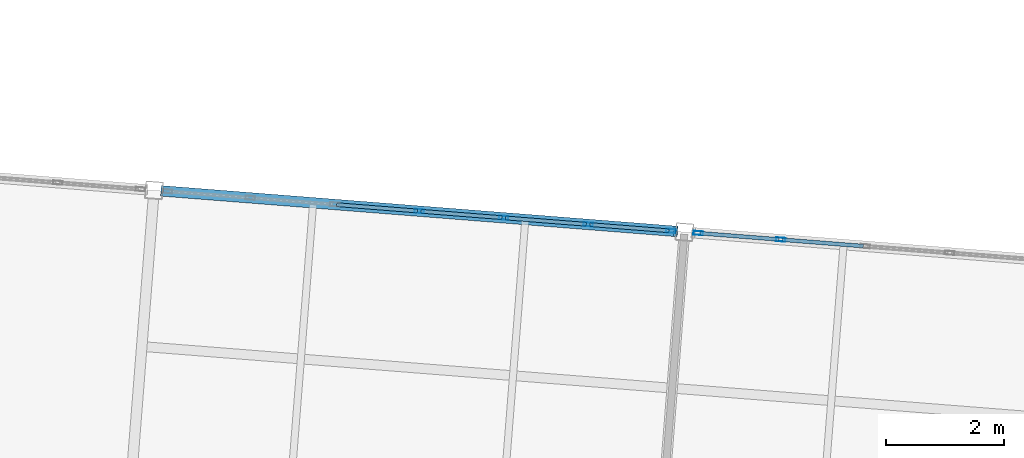
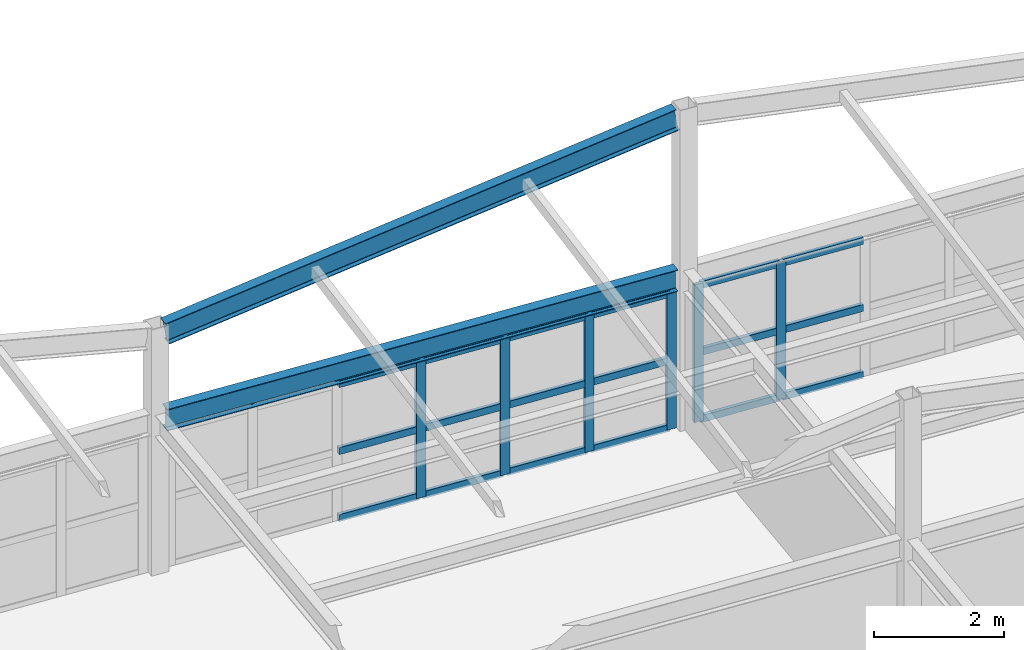
# One storey, part 50 of 127: 24 members, 2 beams, 2 elements without a shape of their own.
"""IFC4 building model written with IfcOpenShell, lengths in metres."""

import ifcopenshell
import ifcopenshell.guid

model = None  # the IFC model being written
_history = None  # IfcOwnerHistory: only IFC2X3 demands one
_inside = {}  # id of a spatial element -> (the spatial element, [elements in it])
_under = {}  # id of a project, library or spatial element -> (it, [spatial elements below it])
_declared = {}  # id of a project -> (the project, [libraries it declares])
_typed = {}  # id of a type object -> (the type object, [elements of that type])
_made_of = {}  # id of a material, layer set ... -> (it, [elements and type objects made of it])


def new_model(schema):
    """Start an empty IFC model of exactly this schema.

    Asked for "IFC4X3", IfcOpenShell would pick the latest addendum, in which some entities
    have other attributes; the version numbers below select the first issue.
    IFC2X3 requires an IfcOwnerHistory on every rooted entity: one is made here for all.
    """
    global model, _history
    if schema == "IFC4X3":
        model = ifcopenshell.file(schema_version=(4, 3, 0, 0))
    else:
        model = ifcopenshell.file(schema=schema)
    _inside.clear()
    _under.clear()
    _declared.clear()
    _typed.clear()
    _made_of.clear()
    _history = None
    if model.schema == "IFC2X3":
        org = make("IfcOrganization", Name="unknown")
        user = make(
            "IfcPersonAndOrganization",
            ThePerson=make("IfcPerson", FamilyName="unknown"),
            TheOrganization=org,
        )
        app = make(
            "IfcApplication",
            ApplicationDeveloper=org,
            Version="unknown",
            ApplicationFullName="unknown",
            ApplicationIdentifier="unknown",
        )
        _history = make(
            "IfcOwnerHistory",
            OwningUser=user,
            OwningApplication=app,
            ChangeAction="ADDED",
            CreationDate=0,
        )
    return model


def make(cls, **values):
    """One entity of the class cls with the attributes given. An attribute that is None is left unset."""
    return model.create_entity(
        cls, **{name: value for name, value in values.items() if value is not None}
    )


def rooted(cls, **values):
    """An entity with a GlobalId (a new one), such as an element, a storey or a relation."""
    return make(cls, GlobalId=ifcopenshell.guid.new(), OwnerHistory=_history, **values)


def si_unit(unit_type, name, prefix=None):
    """IfcSIUnit, for example si_unit("LENGTHUNIT", "METRE", prefix="MILLI")."""
    return make("IfcSIUnit", UnitType=unit_type, Prefix=prefix, Name=name)


def assignment(units):
    """IfcUnitAssignment: the units of a project."""
    return None if units is None else make("IfcUnitAssignment", Units=units)


def point(xyz):
    """IfcCartesianPoint."""
    return None if xyz is None else make("IfcCartesianPoint", Coordinates=xyz)


def direction(xyz):
    """IfcDirection."""
    return None if xyz is None else make("IfcDirection", DirectionRatios=xyz)


def frame(location, z_axis=None, x_axis=None):
    """IfcAxis2Placement3D, a coordinate frame: its origin and axes. An axis left out is left unset."""
    return make(
        "IfcAxis2Placement3D",
        Location=point(location),
        Axis=direction(z_axis),
        RefDirection=direction(x_axis),
    )


def frame_2d(location, x_axis=None):
    """IfcAxis2Placement2D, a coordinate frame in the plane: its origin and x axis."""
    return make(
        "IfcAxis2Placement2D", Location=point(location), RefDirection=direction(x_axis)
    )


def origin():
    """The frame at (0, 0, 0) with its axes left unset."""
    return frame((0.0, 0.0, 0.0))


def origin_2d():
    """The frame at (0, 0) in the plane with its x axis left unset."""
    return frame_2d((0.0, 0.0))


def place(relative_to, where):
    """IfcLocalPlacement: puts the frame where relative to a parent placement (None: the world)."""
    return make(
        "IfcLocalPlacement", PlacementRelTo=relative_to, RelativePlacement=where
    )


def context(
    kind, dimensions, precision=None, world=None, true_north=None, identifier=None
):
    """IfcGeometricRepresentationContext, for example the 3D "Model" context."""
    return make(
        "IfcGeometricRepresentationContext",
        ContextIdentifier=identifier,
        ContextType=kind,
        CoordinateSpaceDimension=dimensions,
        Precision=precision,
        WorldCoordinateSystem=world,
        TrueNorth=true_north,
    )


def subcontext(parent, identifier, kind, view, scale=None):
    """IfcGeometricRepresentationSubContext, for example "Body" below "Model"."""
    return make(
        "IfcGeometricRepresentationSubContext",
        ContextIdentifier=identifier,
        ContextType=kind,
        ParentContext=parent,
        TargetScale=scale,
        TargetView=view,
    )


def project(units=None, contexts=None):
    """IfcProject with its units and contexts."""
    return rooted(
        "IfcProject",
        Name="project",
        RepresentationContexts=contexts,
        UnitsInContext=assignment(units),
    )


def spatial(cls, under=None, at=None, **own):
    """A site, building, storey or space (cls), placed at a placement, below another one or the project."""
    s = rooted(cls, ObjectPlacement=at, **own)
    if under is not None:
        _under.setdefault(under.id(), (under, []))[1].append(s)
    return s


def profile(cls, at=None, kind="AREA", **sizes):
    """A parametric profile (cls). Its sizes go by their IFC names, for example OverallWidth=200.0."""
    return make(cls, ProfileType=kind, Position=at, **sizes)


def hollow_rectangle(**sizes):
    """IfcRectangleHollowProfileDef."""
    return profile("IfcRectangleHollowProfileDef", **sizes)


def i_section(**sizes):
    """IfcIShapeProfileDef."""
    return profile("IfcIShapeProfileDef", **sizes)


def extrude(swept, where, along, depth):
    """IfcExtrudedAreaSolid: the profile swept, set in the frame where, extruded along a direction by depth."""
    return make(
        "IfcExtrudedAreaSolid",
        SweptArea=swept,
        Position=where,
        ExtrudedDirection=direction(along),
        Depth=depth,
    )


def shape(context_of_items, identifier, shape_type, items):
    """IfcShapeRepresentation: the items that make up one representation, for example the "Body"."""
    return make(
        "IfcShapeRepresentation",
        ContextOfItems=context_of_items,
        RepresentationIdentifier=identifier,
        RepresentationType=shape_type,
        Items=items,
    )


def material(Name=None, Category=None):
    """IfcMaterial."""
    return make("IfcMaterial", Name=Name, Category=Category)


def material_profile(
    of_material, cross_section, Name=None, Category=None, Priority=None
):
    """IfcMaterialProfile: a cross section and its material."""
    return make(
        "IfcMaterialProfile",
        Name=Name,
        Material=of_material,
        Profile=cross_section,
        Priority=Priority,
        Category=Category,
    )


def profile_set(profiles, Name=None, composite=None):
    """IfcMaterialProfileSet."""
    return make(
        "IfcMaterialProfileSet",
        Name=Name,
        MaterialProfiles=profiles,
        CompositeProfile=composite,
    )


def made_of(thing, what):
    """Note that an element or type object is made of a material, layer set ...; save() writes the relation."""
    if what is not None:
        _made_of.setdefault(what.id(), (what, []))[1].append(thing)
    return thing


def type_object(cls, material=None, **own):
    """A type object (cls), such as IfcWallType, which elements share."""
    return made_of(rooted(cls, **own), material)


def element(
    cls,
    number,
    at=None,
    inside=None,
    cuts=None,
    type_object=None,
    material=None,
    context=None,
    identifier="Body",
    shape_type=None,
    held_by="IfcProductDefinitionShape",
    body=None,
    shapes=None,
    **own,
):
    """One element of the class cls, such as IfcWall. Its Tag is "e" and its number.

    at: its placement. inside: the storey or other place that contains it. cuts: it is an
    opening in that element (IfcRelVoidsElement). A single representation is given by context,
    identifier, shape_type and body (its items); several are given by shapes. held_by: the class
    of the entity that holds the representations. save() writes the other relations.
    """
    e = rooted(cls, Tag="e%d" % number, ObjectPlacement=at, **own)
    if body is not None:
        shapes = [shape(context, identifier, shape_type, body)]
    if shapes is not None:
        e.Representation = make(held_by, Representations=shapes)
    if inside is not None:
        _inside.setdefault(inside.id(), (inside, []))[1].append(e)
    if cuts is not None:
        rooted(
            "IfcRelVoidsElement", RelatingBuildingElement=cuts, RelatedOpeningElement=e
        )
    if type_object is not None:
        _typed.setdefault(type_object.id(), (type_object, []))[1].append(e)
    return made_of(e, material)


def aggregate(whole, parts):
    """IfcRelAggregates: a whole, such as a stair, and the parts it consists of."""
    return rooted("IfcRelAggregates", RelatingObject=whole, RelatedObjects=parts)


def save(model, path):
    """Write the relations noted so far, then the file.

    IfcRelAggregates (storeys below a building ...), IfcRelContainedInSpatialStructure (elements
    in a storey), IfcRelDefinesByType, IfcRelAssociatesMaterial and IfcRelDeclares: one each for
    every whole, place, type object, material and project.
    """
    for whole, parts in _under.values():
        aggregate(whole, parts)
    for where, things in _inside.values():
        rooted(
            "IfcRelContainedInSpatialStructure",
            RelatedElements=things,
            RelatingStructure=where,
        )
    for kind, things in _typed.values():
        rooted("IfcRelDefinesByType", RelatedObjects=things, RelatingType=kind)
    for what, things in _made_of.values():
        rooted("IfcRelAssociatesMaterial", RelatedObjects=things, RelatingMaterial=what)
    for by, libraries in _declared.values():
        rooted("IfcRelDeclares", RelatingContext=by, RelatedDefinitions=libraries)
    model.write(path)


model = new_model("IFC4")

# Units and contexts
model_context = context("Model", 3, precision=1e-05, world=origin(), true_north=direction((0.0, 1.0)))
body_context = subcontext(model_context, "Body", "Model", "MODEL_VIEW")
ifc_project = project(units=[si_unit("LENGTHUNIT", "METRE"), si_unit("AREAUNIT", "SQUARE_METRE"), si_unit("VOLUMEUNIT", "CUBIC_METRE"), si_unit("PLANEANGLEUNIT", "RADIAN"), si_unit("MASSUNIT", "GRAM", prefix="KILO")], contexts=[model_context])

# Site, building, storey
site_placement = place(None, origin())
site = spatial("IfcSite", under=ifc_project, at=site_placement, CompositionType="ELEMENT")
building_placement = place(site_placement, origin())
building = spatial("IfcBuilding", under=site, at=building_placement, Name="Kestramere Prow Commons", CompositionType="ELEMENT")
storey_placement = place(building_placement, frame((0.0, 0.0, 8.39990234375)))
storey = spatial("IfcBuildingStorey", under=building, at=storey_placement, Name="L02", CompositionType="ELEMENT", Elevation=8.39990234375)

# Beams
ifc_material_1 = material(Name="Steel S355JR", Category="steel")
ifc_material_profile_1 = material_profile(ifc_material_1, i_section(OverallWidth=0.177978515625, OverallDepth=0.406494140625, WebThickness=0.0078125, FlangeThickness=0.0126953125, FilletRadius=0.01025390625, at=origin_2d()), Name="UB 406x178x60")
ifc_profile_set_1 = profile_set([ifc_material_profile_1], Name="Steel S355JR")
beam_type = type_object("IfcBeamType", Name="BM-NR-01 UB 406x178x60 (EX)", PredefinedType="BEAM", material=ifc_profile_set_1)
beam_1_placement = place(storey_placement, frame((79.604736328125, 108.7080078125, 2.796875), z_axis=(0.996919433544, -0.078432410537, 0.0), x_axis=(0.078432410537, 0.996919433544, 0.0)))
element("IfcBeam", 1, at=beam_1_placement, inside=storey, type_object=beam_type, Name="Nursery L02 Beam U 4-2", PredefinedType="BEAM", context=body_context, shape_type="SweptSolid", body=[
    extrude(i_section(OverallWidth=0.177978515625, OverallDepth=0.406494140625, WebThickness=0.0078125, FlangeThickness=0.0126953125, FilletRadius=0.01025390625, at=origin_2d()), origin(), (0.0, 0.0, 1.0), 8.7001953125),
])
beam_2_placement = place(storey_placement, frame((79.604736328125, 108.7080078125, 4.4169921875), z_axis=(0.984259300341, -0.077436377426, 0.158862321346), x_axis=(0.078432410537, 0.996919433544, 0.0)))
element("IfcBeam", 2, at=beam_2_placement, inside=storey, type_object=beam_type, Name="Nursery Butterfly Rafter 4-2", PredefinedType="BEAM", context=body_context, shape_type="SweptSolid", body=[
    extrude(i_section(OverallWidth=0.177978515625, OverallDepth=0.406494140625, WebThickness=0.0078125, FlangeThickness=0.0126953125, FilletRadius=0.01025390625, at=origin_2d()), origin(), (0.0, 0.0, 1.0), 8.81201171875),
])

# Curtain wall, members
ifc_material_2 = material(Name="Anodised Aluminium and Low-E Glass", Category="aluminium")
curtain_wall_type = type_object("IfcCurtainWallType", Name="CW-17 Glazed Curtain Wall 8600x2580", PredefinedType="USERDEFINED", material=ifc_material_2)
curtain_wall_1_placement = place(storey_placement, origin())
curtain_wall_1 = element("IfcCurtainWall", 3, at=curtain_wall_1_placement, inside=storey, type_object=curtain_wall_type, Name="Nursery L02 North Garden Glazing 2", ObjectType="GLAZED CURTAIN WALL", PredefinedType="USERDEFINED")
ifc_material_3 = material(Name="Anodised Aluminium 6063-T6", Category="aluminium")
ifc_material_profile_2 = material_profile(ifc_material_3, hollow_rectangle(XDim=0.06494140625, YDim=0.159912109375, WallThickness=0.00390625, at=origin_2d()), Name="ALU-MUL 65x160")
ifc_profile_set_2 = profile_set([ifc_material_profile_2], Name="Anodised Aluminium 6063-T6")
member_type_1 = type_object("IfcMemberType", Name="CW-MUL-65x160", PredefinedType="MULLION", material=ifc_profile_set_2)
member_1_placement = place(storey_placement, frame((83.94140625, 108.36669921875, 0.0), z_axis=(0.0, 0.0, 1.0), x_axis=(0.078459070568, 0.996917335713, 0.0)))
member_1 = element("IfcMember", 4, at=member_1_placement, type_object=member_type_1, Name="CW-17 mullion 4", PredefinedType="MULLION", context=body_context, shape_type="SweptSolid", body=[
    extrude(hollow_rectangle(XDim=0.06494140625, YDim=0.159912109375, WallThickness=0.00390625, at=origin_2d()), origin(), (0.0, 0.0, 1.0), 2.580078125),
])
member_2_placement = place(storey_placement, frame((85.370361328125, 108.25439453125, 0.0), z_axis=(0.0, 0.0, 1.0), x_axis=(0.078459070568, 0.996917335713, 0.0)))
member_2 = element("IfcMember", 5, at=member_2_placement, type_object=member_type_1, Name="CW-17 mullion 5", PredefinedType="MULLION", context=body_context, shape_type="SweptSolid", body=[
    extrude(hollow_rectangle(XDim=0.06494140625, YDim=0.159912109375, WallThickness=0.00390625, at=origin_2d()), origin(), (0.0, 0.0, 1.0), 2.580078125),
])
member_3_placement = place(storey_placement, frame((86.79931640625, 108.141845703125, 0.0), z_axis=(0.0, 0.0, 1.0), x_axis=(0.078459070568, 0.996917335713, 0.0)))
member_3 = element("IfcMember", 6, at=member_3_placement, type_object=member_type_1, Name="CW-17 mullion 6", PredefinedType="MULLION", context=body_context, shape_type="SweptSolid", body=[
    extrude(hollow_rectangle(XDim=0.06494140625, YDim=0.159912109375, WallThickness=0.00390625, at=origin_2d()), origin(), (0.0, 0.0, 1.0), 2.580078125),
])
member_4_placement = place(storey_placement, frame((88.19580078125, 108.031982421875, 0.0), z_axis=(0.0, 0.0, 1.0), x_axis=(0.078459070568, 0.996917335713, 0.0)))
member_4 = element("IfcMember", 7, at=member_4_placement, type_object=member_type_1, Name="CW-17 mullion 7", PredefinedType="MULLION", context=body_context, shape_type="SweptSolid", body=[
    extrude(hollow_rectangle(XDim=0.06494140625, YDim=0.159912109375, WallThickness=0.00390625, at=origin_2d()), origin(), (0.0, 0.0, 1.0), 2.580078125),
])

curtain_wall_2_placement = place(storey_placement, origin())
curtain_wall_2 = element("IfcCurtainWall", 8, at=curtain_wall_2_placement, inside=storey, type_object=curtain_wall_type, Name="Nursery L02 North Garden Glazing 3", ObjectType="GLAZED CURTAIN WALL", PredefinedType="USERDEFINED")
member_5_placement = place(storey_placement, frame((88.659423828125, 107.99560546875, 0.0), z_axis=(0.0, 0.0, 1.0), x_axis=(0.078459070568, 0.996917335713, 0.0)))
member_5 = element("IfcMember", 9, at=member_5_placement, type_object=member_type_1, Name="CW-17 mullion 1", PredefinedType="MULLION", context=body_context, shape_type="SweptSolid", body=[
    extrude(hollow_rectangle(XDim=0.06494140625, YDim=0.159912109375, WallThickness=0.00390625, at=origin_2d()), origin(), (0.0, 0.0, 1.0), 2.580078125),
])
member_6_placement = place(storey_placement, frame((90.055908203125, 107.885498046875, 0.0), z_axis=(0.0, 0.0, 1.0), x_axis=(0.078459070568, 0.996917335713, 0.0)))
member_6 = element("IfcMember", 10, at=member_6_placement, type_object=member_type_1, Name="CW-17 mullion 2", PredefinedType="MULLION", context=body_context, shape_type="SweptSolid", body=[
    extrude(hollow_rectangle(XDim=0.06494140625, YDim=0.159912109375, WallThickness=0.00390625, at=origin_2d()), origin(), (0.0, 0.0, 1.0), 2.580078125),
])

# Member
ifc_material_profile_3 = material_profile(ifc_material_3, hollow_rectangle(XDim=0.06494140625, YDim=0.1298828125, WallThickness=0.00390625, at=origin_2d()), Name="ALU-TRN 65x130")
ifc_profile_set_3 = profile_set([ifc_material_profile_3], Name="Anodised Aluminium 6063-T6")
member_type_2 = type_object("IfcMemberType", Name="CW-TRN-65x130", PredefinedType="USERDEFINED", material=ifc_profile_set_3)
member_7_placement = place(storey_placement, frame((82.544921875, 108.476806640625, 0.03271484375), z_axis=(0.996913235205, -0.07851115509, 0.0), x_axis=(0.07851115509, 0.996913235205, 0.0)))
member_7 = element("IfcMember", 11, at=member_7_placement, type_object=member_type_2, Name="CW-17 transom 3.1", ObjectType="TRANSOM", PredefinedType="USERDEFINED", context=body_context, shape_type="SweptSolid", body=[
    extrude(hollow_rectangle(XDim=0.06494140625, YDim=0.1298828125, WallThickness=0.00390625, at=origin_2d()), origin(), (0.0, 0.0, 1.0), 1.3681640625),
])

member_8_placement = place(storey_placement, frame((82.544921875, 108.476806640625, 1.2900390625), z_axis=(0.996913235205, -0.07851115509, 0.0), x_axis=(0.07851115509, 0.996913235205, 0.0)))
member_8 = element("IfcMember", 12, at=member_8_placement, type_object=member_type_2, Name="CW-17 transom 3.2", ObjectType="TRANSOM", PredefinedType="USERDEFINED", context=body_context, shape_type="SweptSolid", body=[
    extrude(hollow_rectangle(XDim=0.06494140625, YDim=0.1298828125, WallThickness=0.00390625, at=origin_2d()), origin(), (0.0, 0.0, 1.0), 1.3681640625),
])

member_9_placement = place(storey_placement, frame((82.544921875, 108.476806640625, 2.547607421875), z_axis=(0.996913235205, -0.07851115509, 0.0), x_axis=(0.07851115509, 0.996913235205, 0.0)))
member_9 = element("IfcMember", 13, at=member_9_placement, type_object=member_type_2, Name="CW-17 transom 3.3", ObjectType="TRANSOM", PredefinedType="USERDEFINED", context=body_context, shape_type="SweptSolid", body=[
    extrude(hollow_rectangle(XDim=0.06494140625, YDim=0.1298828125, WallThickness=0.00390625, at=origin_2d()), origin(), (0.0, 0.0, 1.0), 1.3681640625),
])

member_10_placement = place(storey_placement, frame((83.973876953125, 108.3642578125, 0.03271484375), z_axis=(0.996913235205, -0.07851115509, 0.0), x_axis=(0.07851115509, 0.996913235205, 0.0)))
member_10 = element("IfcMember", 14, at=member_10_placement, type_object=member_type_2, Name="CW-17 transom 4.1", ObjectType="TRANSOM", PredefinedType="USERDEFINED", context=body_context, shape_type="SweptSolid", body=[
    extrude(hollow_rectangle(XDim=0.06494140625, YDim=0.1298828125, WallThickness=0.00390625, at=origin_2d()), origin(), (0.0, 0.0, 1.0), 1.3681640625),
])

member_11_placement = place(storey_placement, frame((83.973876953125, 108.3642578125, 1.2900390625), z_axis=(0.996913235205, -0.07851115509, 0.0), x_axis=(0.07851115509, 0.996913235205, 0.0)))
member_11 = element("IfcMember", 15, at=member_11_placement, type_object=member_type_2, Name="CW-17 transom 4.2", ObjectType="TRANSOM", PredefinedType="USERDEFINED", context=body_context, shape_type="SweptSolid", body=[
    extrude(hollow_rectangle(XDim=0.06494140625, YDim=0.1298828125, WallThickness=0.00390625, at=origin_2d()), origin(), (0.0, 0.0, 1.0), 1.3681640625),
])

member_12_placement = place(storey_placement, frame((83.973876953125, 108.3642578125, 2.547607421875), z_axis=(0.996913235205, -0.07851115509, 0.0), x_axis=(0.07851115509, 0.996913235205, 0.0)))
member_12 = element("IfcMember", 16, at=member_12_placement, type_object=member_type_2, Name="CW-17 transom 4.3", ObjectType="TRANSOM", PredefinedType="USERDEFINED", context=body_context, shape_type="SweptSolid", body=[
    extrude(hollow_rectangle(XDim=0.06494140625, YDim=0.1298828125, WallThickness=0.00390625, at=origin_2d()), origin(), (0.0, 0.0, 1.0), 1.3681640625),
])

member_13_placement = place(storey_placement, frame((85.40283203125, 108.251708984375, 0.03271484375), z_axis=(0.996927185479, -0.078333816793, 0.0), x_axis=(0.078333816793, 0.996927185479, 0.0)))
member_13 = element("IfcMember", 17, at=member_13_placement, type_object=member_type_2, Name="CW-17 transom 5.1", ObjectType="TRANSOM", PredefinedType="USERDEFINED", context=body_context, shape_type="SweptSolid", body=[
    extrude(hollow_rectangle(XDim=0.06494140625, YDim=0.1298828125, WallThickness=0.00390625, at=origin_2d()), origin(), (0.0, 0.0, 1.0), 1.3681640625),
])

member_14_placement = place(storey_placement, frame((85.40283203125, 108.251708984375, 1.2900390625), z_axis=(0.996927185479, -0.078333816793, 0.0), x_axis=(0.078333816793, 0.996927185479, 0.0)))
member_14 = element("IfcMember", 18, at=member_14_placement, type_object=member_type_2, Name="CW-17 transom 5.2", ObjectType="TRANSOM", PredefinedType="USERDEFINED", context=body_context, shape_type="SweptSolid", body=[
    extrude(hollow_rectangle(XDim=0.06494140625, YDim=0.1298828125, WallThickness=0.00390625, at=origin_2d()), origin(), (0.0, 0.0, 1.0), 1.3681640625),
])

member_15_placement = place(storey_placement, frame((85.40283203125, 108.251708984375, 2.547607421875), z_axis=(0.996927185479, -0.078333816793, 0.0), x_axis=(0.078333816793, 0.996927185479, 0.0)))
member_15 = element("IfcMember", 19, at=member_15_placement, type_object=member_type_2, Name="CW-17 transom 5.3", ObjectType="TRANSOM", PredefinedType="USERDEFINED", context=body_context, shape_type="SweptSolid", body=[
    extrude(hollow_rectangle(XDim=0.06494140625, YDim=0.1298828125, WallThickness=0.00390625, at=origin_2d()), origin(), (0.0, 0.0, 1.0), 1.3681640625),
])

member_16_placement = place(storey_placement, frame((86.83154296875, 108.139404296875, 0.03271484375), z_axis=(0.996907574622, -0.078582998549, 0.0), x_axis=(0.078582998549, 0.996907574622, 0.0)))
member_16 = element("IfcMember", 20, at=member_16_placement, type_object=member_type_2, Name="CW-17 transom 6.1", ObjectType="TRANSOM", PredefinedType="USERDEFINED", context=body_context, shape_type="SweptSolid", body=[
    extrude(hollow_rectangle(XDim=0.06494140625, YDim=0.1298828125, WallThickness=0.00390625, at=origin_2d()), origin(), (0.0, 0.0, 1.0), 1.3359375),
])

member_17_placement = place(storey_placement, frame((86.83154296875, 108.139404296875, 1.2900390625), z_axis=(0.996907574622, -0.078582998549, 0.0), x_axis=(0.078582998549, 0.996907574622, 0.0)))
member_17 = element("IfcMember", 21, at=member_17_placement, type_object=member_type_2, Name="CW-17 transom 6.2", ObjectType="TRANSOM", PredefinedType="USERDEFINED", context=body_context, shape_type="SweptSolid", body=[
    extrude(hollow_rectangle(XDim=0.06494140625, YDim=0.1298828125, WallThickness=0.00390625, at=origin_2d()), origin(), (0.0, 0.0, 1.0), 1.3359375),
])

member_18_placement = place(storey_placement, frame((86.83154296875, 108.139404296875, 2.547607421875), z_axis=(0.996907574622, -0.078582998549, 0.0), x_axis=(0.078582998549, 0.996907574622, 0.0)))
member_18 = element("IfcMember", 22, at=member_18_placement, type_object=member_type_2, Name="CW-17 transom 6.3", ObjectType="TRANSOM", PredefinedType="USERDEFINED", context=body_context, shape_type="SweptSolid", body=[
    extrude(hollow_rectangle(XDim=0.06494140625, YDim=0.1298828125, WallThickness=0.00390625, at=origin_2d()), origin(), (0.0, 0.0, 1.0), 1.3359375),
])

aggregate(curtain_wall_1, [member_1, member_2, member_3, member_4, member_7, member_8, member_9, member_10, member_11, member_12, member_13, member_14, member_15, member_16, member_17, member_18])

member_19_placement = place(storey_placement, frame((88.691650390625, 107.992919921875, 0.03271484375), z_axis=(0.996921875006, -0.078401372022, 0.0), x_axis=(0.078401372022, 0.996921875006, 0.0)))
member_19 = element("IfcMember", 23, at=member_19_placement, type_object=member_type_2, Name="CW-17 transom 1.1", ObjectType="TRANSOM", PredefinedType="USERDEFINED", context=body_context, shape_type="SweptSolid", body=[
    extrude(hollow_rectangle(XDim=0.06494140625, YDim=0.1298828125, WallThickness=0.00390625, at=origin_2d()), origin(), (0.0, 0.0, 1.0), 1.3359375),
])

member_20_placement = place(storey_placement, frame((88.691650390625, 107.992919921875, 1.2900390625), z_axis=(0.996921875006, -0.078401372022, 0.0), x_axis=(0.078401372022, 0.996921875006, 0.0)))
member_20 = element("IfcMember", 24, at=member_20_placement, type_object=member_type_2, Name="CW-17 transom 1.2", ObjectType="TRANSOM", PredefinedType="USERDEFINED", context=body_context, shape_type="SweptSolid", body=[
    extrude(hollow_rectangle(XDim=0.06494140625, YDim=0.1298828125, WallThickness=0.00390625, at=origin_2d()), origin(), (0.0, 0.0, 1.0), 1.3359375),
])

member_21_placement = place(storey_placement, frame((88.691650390625, 107.992919921875, 2.547607421875), z_axis=(0.996921875006, -0.078401372022, 0.0), x_axis=(0.078401372022, 0.996921875006, 0.0)))
member_21 = element("IfcMember", 25, at=member_21_placement, type_object=member_type_2, Name="CW-17 transom 1.3", ObjectType="TRANSOM", PredefinedType="USERDEFINED", context=body_context, shape_type="SweptSolid", body=[
    extrude(hollow_rectangle(XDim=0.06494140625, YDim=0.1298828125, WallThickness=0.00390625, at=origin_2d()), origin(), (0.0, 0.0, 1.0), 1.3359375),
])

member_22_placement = place(storey_placement, frame((90.088134765625, 107.883056640625, 0.03271484375), z_axis=(0.996914334782, -0.078497191715, 0.0), x_axis=(0.078497191715, 0.996914334782, 0.0)))
member_22 = element("IfcMember", 26, at=member_22_placement, type_object=member_type_2, Name="CW-17 transom 2.1", ObjectType="TRANSOM", PredefinedType="USERDEFINED", context=body_context, shape_type="SweptSolid", body=[
    extrude(hollow_rectangle(XDim=0.06494140625, YDim=0.1298828125, WallThickness=0.00390625, at=origin_2d()), origin(), (0.0, 0.0, 1.0), 1.368408203125),
])

member_23_placement = place(storey_placement, frame((90.088134765625, 107.883056640625, 1.2900390625), z_axis=(0.996914334782, -0.078497191715, 0.0), x_axis=(0.078497191715, 0.996914334782, 0.0)))
member_23 = element("IfcMember", 27, at=member_23_placement, type_object=member_type_2, Name="CW-17 transom 2.2", ObjectType="TRANSOM", PredefinedType="USERDEFINED", context=body_context, shape_type="SweptSolid", body=[
    extrude(hollow_rectangle(XDim=0.06494140625, YDim=0.1298828125, WallThickness=0.00390625, at=origin_2d()), origin(), (0.0, 0.0, 1.0), 1.368408203125),
])

member_24_placement = place(storey_placement, frame((90.088134765625, 107.883056640625, 2.547607421875), z_axis=(0.996914334782, -0.078497191715, 0.0), x_axis=(0.078497191715, 0.996914334782, 0.0)))
member_24 = element("IfcMember", 28, at=member_24_placement, type_object=member_type_2, Name="CW-17 transom 2.3", ObjectType="TRANSOM", PredefinedType="USERDEFINED", context=body_context, shape_type="SweptSolid", body=[
    extrude(hollow_rectangle(XDim=0.06494140625, YDim=0.1298828125, WallThickness=0.00390625, at=origin_2d()), origin(), (0.0, 0.0, 1.0), 1.368408203125),
])

aggregate(curtain_wall_2, [member_5, member_6, member_19, member_20, member_21, member_22, member_23, member_24])

save(model, "model.ifc")
